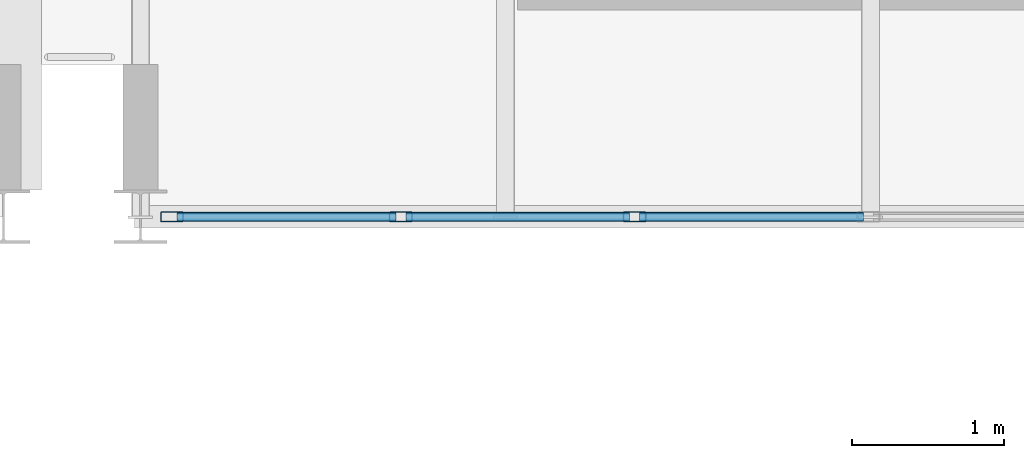
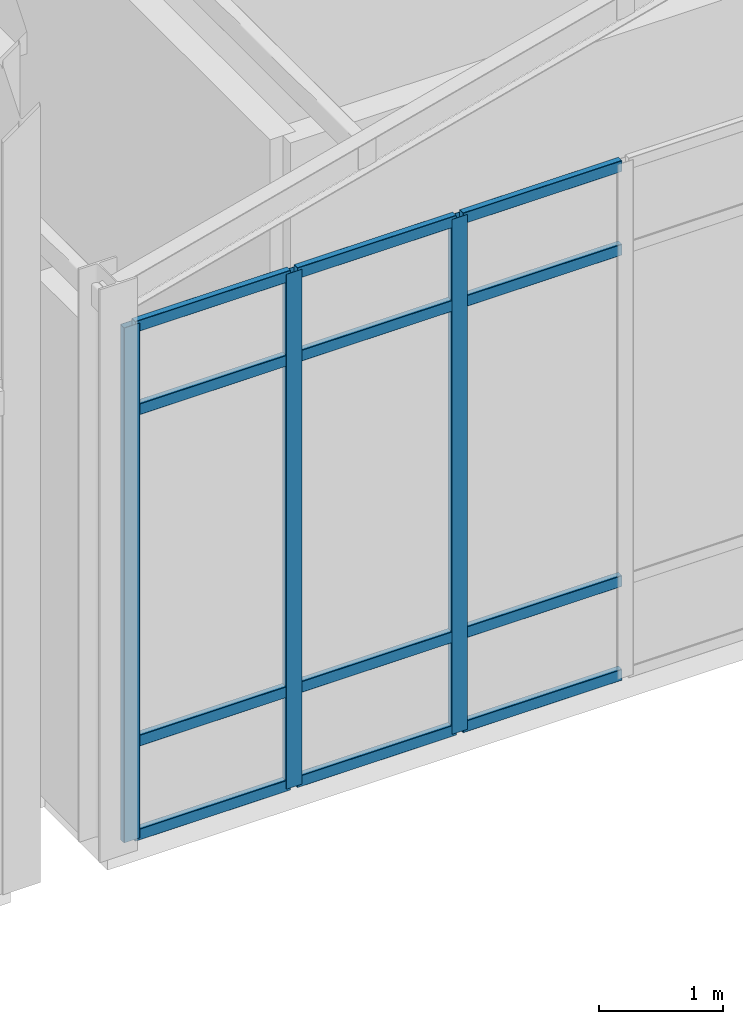
# One storey, part 9 of 121: 15 members, 1 element without a shape of its own.
"""IFC4 building model written with IfcOpenShell, lengths in metres."""

from ifc_helpers import new_model, si_unit, direction, frame, origin, origin_2d, place, context, subcontext, project, spatial, hollow_rectangle, extrude, material, material_profile, profile_set, type_object, element, aggregate, save


model = new_model("IFC4")

# Units and contexts
model_context = context("Model", 3, precision=1e-05, world=origin(), true_north=direction((0.0, 1.0)))
body_context = subcontext(model_context, "Body", "Model", "MODEL_VIEW")
ifc_project = project(units=[si_unit("LENGTHUNIT", "METRE"), si_unit("AREAUNIT", "SQUARE_METRE"), si_unit("VOLUMEUNIT", "CUBIC_METRE"), si_unit("PLANEANGLEUNIT", "RADIAN"), si_unit("MASSUNIT", "GRAM", prefix="KILO")], contexts=[model_context])

# Site, building, storey
site_placement = place(None, origin())
site = spatial("IfcSite", under=ifc_project, at=site_placement, CompositionType="ELEMENT")
building_placement = place(site_placement, origin())
building = spatial("IfcBuilding", under=site, at=building_placement, Name="Canglan Escarpment Cableway Terminal", CompositionType="ELEMENT")
storey_placement = place(building_placement, frame((0.0, 0.0, 24.60009765625)))
storey = spatial("IfcBuildingStorey", under=building, at=storey_placement, Name="L05", CompositionType="ELEMENT", Elevation=24.60009765625)

# Curtain wall, members
ifc_material_1 = material(Name="Anodized bronze aluminium and Low-E double glazing", Category="aluminium")
curtain_wall_type = type_object("IfcCurtainWallType", Name="CW-BAY-9225x5050", PredefinedType="NOTDEFINED", material=ifc_material_1)
curtain_wall_placement = place(storey_placement, origin())
curtain_wall = element("IfcCurtainWall", 1, at=curtain_wall_placement, inside=storey, type_object=curtain_wall_type, Name="Classical bay-between-piers glazed curtain wall CW-37", PredefinedType="NOTDEFINED")
ifc_material_2 = material(Name="Thermally broken anodized aluminium 6063-T6", Category="aluminium")
ifc_material_profile_1 = material_profile(ifc_material_2, hollow_rectangle(XDim=0.06494140625, YDim=0.14990234375, WallThickness=0.00341796875, InnerFilletRadius=0.00341796875, OuterFilletRadius=0.007080078125, at=origin_2d()), Name="ALU-MULL 65x150x3.5")
ifc_profile_set_1 = profile_set([ifc_material_profile_1], Name="Thermally broken anodized aluminium 6063-T6")
member_type_1 = type_object("IfcMemberType", Name="CWM-02", PredefinedType="MULLION", material=ifc_profile_set_1)
member_1_placement = place(storey_placement, frame((147.407470703125, 8.0, 0.0), z_axis=(0.0, 0.0, 1.0), x_axis=(0.0, 1.0, 0.0)))
member_1 = element("IfcMember", 2, at=member_1_placement, type_object=member_type_1, Name="CW-37 mullion 1", PredefinedType="MULLION", context=body_context, shape_type="SweptSolid", body=[
    extrude(hollow_rectangle(XDim=0.06494140625, YDim=0.14990234375, WallThickness=0.00341796875, InnerFilletRadius=0.00341796875, OuterFilletRadius=0.007080078125, at=origin_2d()), origin(), (0.0, 0.0, 1.0), 5.0498046875),
])
member_2_placement = place(storey_placement, frame((148.911865234375, 8.0, 0.0), z_axis=(0.0, 0.0, 1.0), x_axis=(0.0, 1.0, 0.0)))
member_2 = element("IfcMember", 3, at=member_2_placement, type_object=member_type_1, Name="CW-37 mullion 2", PredefinedType="MULLION", context=body_context, shape_type="SweptSolid", body=[
    extrude(hollow_rectangle(XDim=0.06494140625, YDim=0.14990234375, WallThickness=0.00341796875, InnerFilletRadius=0.00341796875, OuterFilletRadius=0.007080078125, at=origin_2d()), origin(), (0.0, 0.0, 1.0), 5.0498046875),
])
member_3_placement = place(storey_placement, frame((150.448974609375, 8.0, 0.0), z_axis=(0.0, 0.0, 1.0), x_axis=(0.0, 1.0, 0.0)))
member_3 = element("IfcMember", 4, at=member_3_placement, type_object=member_type_1, Name="CW-37 mullion 3", PredefinedType="MULLION", context=body_context, shape_type="SweptSolid", body=[
    extrude(hollow_rectangle(XDim=0.06494140625, YDim=0.14990234375, WallThickness=0.00341796875, InnerFilletRadius=0.00341796875, OuterFilletRadius=0.007080078125, at=origin_2d()), origin(), (0.0, 0.0, 1.0), 5.0498046875),
])
ifc_material_profile_2 = material_profile(ifc_material_2, hollow_rectangle(XDim=0.06005859375, YDim=0.110107421875, WallThickness=0.0029296875, InnerFilletRadius=0.0029296875, OuterFilletRadius=0.006103515625, at=origin_2d()), Name="ALU-TRAN 60x110x3")
ifc_profile_set_2 = profile_set([ifc_material_profile_2], Name="Thermally broken anodized aluminium 6063-T6")
member_type_2 = type_object("IfcMemberType", Name="CWT-02", PredefinedType="USERDEFINED", material=ifc_profile_set_2)
member_4_placement = place(storey_placement, frame((147.43994140625, 8.0, 0.02978515625), z_axis=(1.0, 0.0, 0.0), x_axis=(0.0, 1.0, 0.0)))
member_4 = element("IfcMember", 5, at=member_4_placement, type_object=member_type_2, Name="CW-37 transom 1.1", ObjectType="TRANSOM", PredefinedType="USERDEFINED", context=body_context, shape_type="SweptSolid", body=[
    extrude(hollow_rectangle(XDim=0.06005859375, YDim=0.110107421875, WallThickness=0.0029296875, InnerFilletRadius=0.0029296875, OuterFilletRadius=0.006103515625, at=origin_2d()), origin(), (0.0, 0.0, 1.0), 1.439453125),
])
member_5_placement = place(storey_placement, frame((147.43994140625, 8.0, 0.949951171875), z_axis=(1.0, 0.0, 0.0), x_axis=(0.0, 1.0, 0.0)))
member_5 = element("IfcMember", 6, at=member_5_placement, type_object=member_type_2, Name="CW-37 transom 1.2", ObjectType="TRANSOM", PredefinedType="USERDEFINED", context=body_context, shape_type="SweptSolid", body=[
    extrude(hollow_rectangle(XDim=0.06005859375, YDim=0.110107421875, WallThickness=0.0029296875, InnerFilletRadius=0.0029296875, OuterFilletRadius=0.006103515625, at=origin_2d()), origin(), (0.0, 0.0, 1.0), 1.439453125),
])
member_6_placement = place(storey_placement, frame((147.43994140625, 8.0, 4.199951171875), z_axis=(1.0, 0.0, 0.0), x_axis=(0.0, 1.0, 0.0)))
member_6 = element("IfcMember", 7, at=member_6_placement, type_object=member_type_2, Name="CW-37 transom 1.3", ObjectType="TRANSOM", PredefinedType="USERDEFINED", context=body_context, shape_type="SweptSolid", body=[
    extrude(hollow_rectangle(XDim=0.06005859375, YDim=0.110107421875, WallThickness=0.0029296875, InnerFilletRadius=0.0029296875, OuterFilletRadius=0.006103515625, at=origin_2d()), origin(), (0.0, 0.0, 1.0), 1.439453125),
])
member_7_placement = place(storey_placement, frame((147.43994140625, 8.0, 5.02001953125), z_axis=(1.0, 0.0, 0.0), x_axis=(0.0, 1.0, 0.0)))
member_7 = element("IfcMember", 8, at=member_7_placement, type_object=member_type_2, Name="CW-37 transom 1.4", ObjectType="TRANSOM", PredefinedType="USERDEFINED", context=body_context, shape_type="SweptSolid", body=[
    extrude(hollow_rectangle(XDim=0.06005859375, YDim=0.110107421875, WallThickness=0.0029296875, InnerFilletRadius=0.0029296875, OuterFilletRadius=0.006103515625, at=origin_2d()), origin(), (0.0, 0.0, 1.0), 1.439453125),
])
member_8_placement = place(storey_placement, frame((148.944580078125, 8.0, 0.02978515625), z_axis=(1.0, 0.0, 0.0), x_axis=(0.0, 1.0, 0.0)))
member_8 = element("IfcMember", 9, at=member_8_placement, type_object=member_type_2, Name="CW-37 transom 2.1", ObjectType="TRANSOM", PredefinedType="USERDEFINED", context=body_context, shape_type="SweptSolid", body=[
    extrude(hollow_rectangle(XDim=0.06005859375, YDim=0.110107421875, WallThickness=0.0029296875, InnerFilletRadius=0.0029296875, OuterFilletRadius=0.006103515625, at=origin_2d()), origin(), (0.0, 0.0, 1.0), 1.471923828125),
])
member_9_placement = place(storey_placement, frame((148.944580078125, 8.0, 0.949951171875), z_axis=(1.0, 0.0, 0.0), x_axis=(0.0, 1.0, 0.0)))
member_9 = element("IfcMember", 10, at=member_9_placement, type_object=member_type_2, Name="CW-37 transom 2.2", ObjectType="TRANSOM", PredefinedType="USERDEFINED", context=body_context, shape_type="SweptSolid", body=[
    extrude(hollow_rectangle(XDim=0.06005859375, YDim=0.110107421875, WallThickness=0.0029296875, InnerFilletRadius=0.0029296875, OuterFilletRadius=0.006103515625, at=origin_2d()), origin(), (0.0, 0.0, 1.0), 1.471923828125),
])
member_10_placement = place(storey_placement, frame((148.944580078125, 8.0, 4.199951171875), z_axis=(1.0, 0.0, 0.0), x_axis=(0.0, 1.0, 0.0)))
member_10 = element("IfcMember", 11, at=member_10_placement, type_object=member_type_2, Name="CW-37 transom 2.3", ObjectType="TRANSOM", PredefinedType="USERDEFINED", context=body_context, shape_type="SweptSolid", body=[
    extrude(hollow_rectangle(XDim=0.06005859375, YDim=0.110107421875, WallThickness=0.0029296875, InnerFilletRadius=0.0029296875, OuterFilletRadius=0.006103515625, at=origin_2d()), origin(), (0.0, 0.0, 1.0), 1.471923828125),
])
member_11_placement = place(storey_placement, frame((148.944580078125, 8.0, 5.02001953125), z_axis=(1.0, 0.0, 0.0), x_axis=(0.0, 1.0, 0.0)))
member_11 = element("IfcMember", 12, at=member_11_placement, type_object=member_type_2, Name="CW-37 transom 2.4", ObjectType="TRANSOM", PredefinedType="USERDEFINED", context=body_context, shape_type="SweptSolid", body=[
    extrude(hollow_rectangle(XDim=0.06005859375, YDim=0.110107421875, WallThickness=0.0029296875, InnerFilletRadius=0.0029296875, OuterFilletRadius=0.006103515625, at=origin_2d()), origin(), (0.0, 0.0, 1.0), 1.471923828125),
])
member_12_placement = place(storey_placement, frame((150.4814453125, 8.0, 0.02978515625), z_axis=(1.0, 0.0, 0.0), x_axis=(0.0, 1.0, 0.0)))
member_12 = element("IfcMember", 13, at=member_12_placement, type_object=member_type_2, Name="CW-37 transom 3.1", ObjectType="TRANSOM", PredefinedType="USERDEFINED", context=body_context, shape_type="SweptSolid", body=[
    extrude(hollow_rectangle(XDim=0.06005859375, YDim=0.110107421875, WallThickness=0.0029296875, InnerFilletRadius=0.0029296875, OuterFilletRadius=0.006103515625, at=origin_2d()), origin(), (0.0, 0.0, 1.0), 1.471923828125),
])
member_13_placement = place(storey_placement, frame((150.4814453125, 8.0, 0.949951171875), z_axis=(1.0, 0.0, 0.0), x_axis=(0.0, 1.0, 0.0)))
member_13 = element("IfcMember", 14, at=member_13_placement, type_object=member_type_2, Name="CW-37 transom 3.2", ObjectType="TRANSOM", PredefinedType="USERDEFINED", context=body_context, shape_type="SweptSolid", body=[
    extrude(hollow_rectangle(XDim=0.06005859375, YDim=0.110107421875, WallThickness=0.0029296875, InnerFilletRadius=0.0029296875, OuterFilletRadius=0.006103515625, at=origin_2d()), origin(), (0.0, 0.0, 1.0), 1.471923828125),
])
member_14_placement = place(storey_placement, frame((150.4814453125, 8.0, 4.199951171875), z_axis=(1.0, 0.0, 0.0), x_axis=(0.0, 1.0, 0.0)))
member_14 = element("IfcMember", 15, at=member_14_placement, type_object=member_type_2, Name="CW-37 transom 3.3", ObjectType="TRANSOM", PredefinedType="USERDEFINED", context=body_context, shape_type="SweptSolid", body=[
    extrude(hollow_rectangle(XDim=0.06005859375, YDim=0.110107421875, WallThickness=0.0029296875, InnerFilletRadius=0.0029296875, OuterFilletRadius=0.006103515625, at=origin_2d()), origin(), (0.0, 0.0, 1.0), 1.471923828125),
])
member_15_placement = place(storey_placement, frame((150.4814453125, 8.0, 5.02001953125), z_axis=(1.0, 0.0, 0.0), x_axis=(0.0, 1.0, 0.0)))
member_15 = element("IfcMember", 16, at=member_15_placement, type_object=member_type_2, Name="CW-37 transom 3.4", ObjectType="TRANSOM", PredefinedType="USERDEFINED", context=body_context, shape_type="SweptSolid", body=[
    extrude(hollow_rectangle(XDim=0.06005859375, YDim=0.110107421875, WallThickness=0.0029296875, InnerFilletRadius=0.0029296875, OuterFilletRadius=0.006103515625, at=origin_2d()), origin(), (0.0, 0.0, 1.0), 1.471923828125),
])
aggregate(curtain_wall, [member_1, member_2, member_3, member_4, member_5, member_6, member_7, member_8, member_9, member_10, member_11, member_12, member_13, member_14, member_15])

save(model, "model.ifc")
